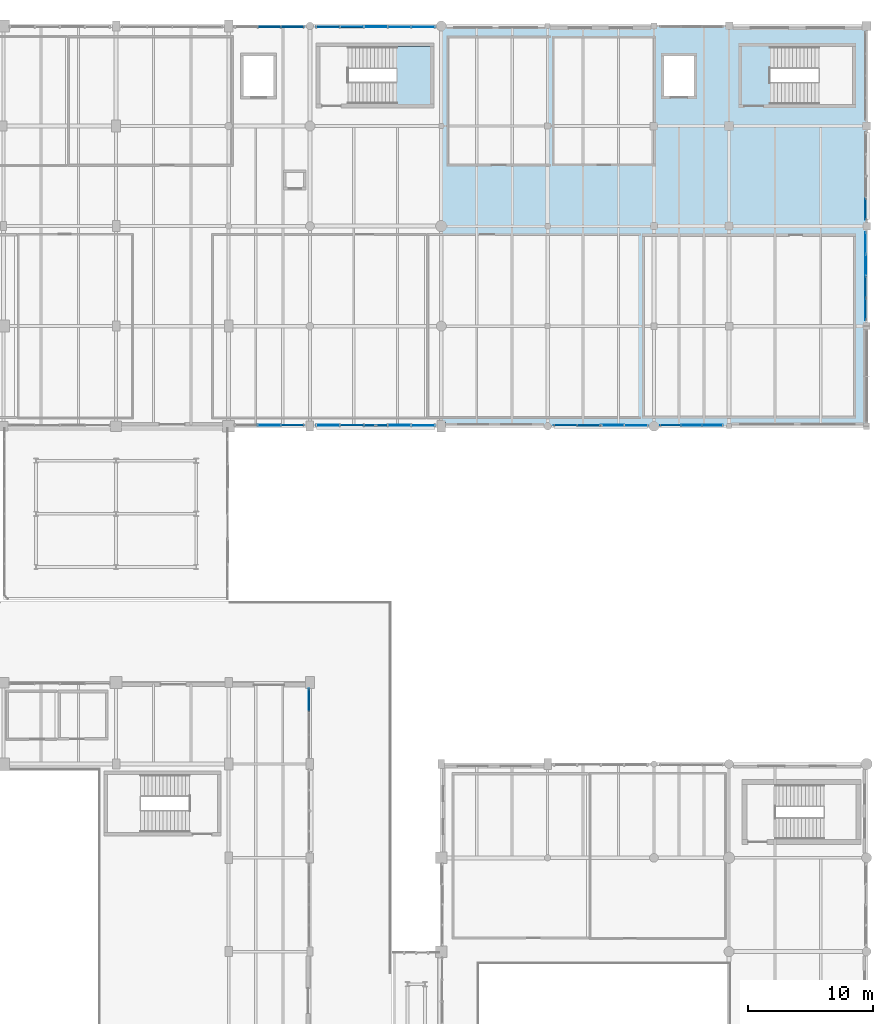
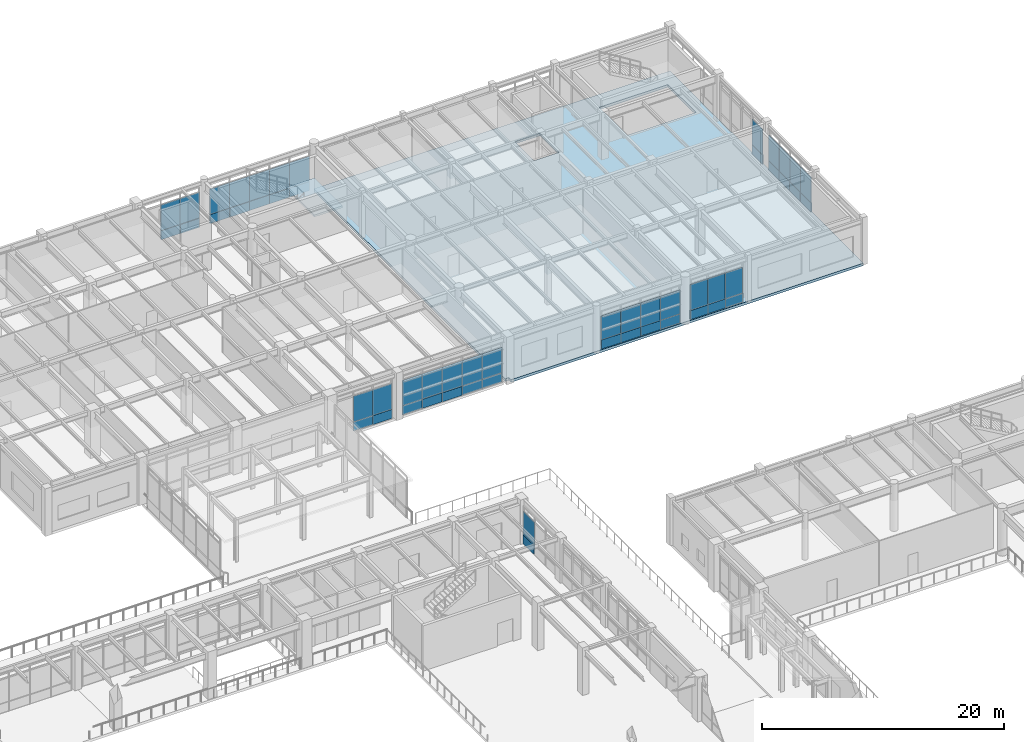
# One storey, part 166 of 200: 54 plates, 2 slabs, 10 elements without a shape of their own.
"""IFC4 building model written with IfcOpenShell, lengths in metres."""

from ifc_helpers import new_model, si_unit, direction, frame, origin, origin_2d, place, context, subcontext, project, spatial, polyline, rectangle, outline, extrude, material, layer, layer_set, type_object, element, aggregate, save


model = new_model("IFC4")

# Units and contexts
model_context = context("Model", 3, precision=1e-05, world=origin(), true_north=direction((0.0, 1.0)))
body_context = subcontext(model_context, "Body", "Model", "MODEL_VIEW")
ifc_project = project(units=[si_unit("LENGTHUNIT", "METRE"), si_unit("AREAUNIT", "SQUARE_METRE"), si_unit("VOLUMEUNIT", "CUBIC_METRE"), si_unit("PLANEANGLEUNIT", "RADIAN"), si_unit("MASSUNIT", "GRAM", prefix="KILO"), si_unit("THERMODYNAMICTEMPERATUREUNIT", "KELVIN"), si_unit("POWERUNIT", "WATT")], contexts=[model_context])

# Site, building, storey
site_placement = place(None, origin())
site = spatial("IfcSite", under=ifc_project, at=site_placement, CompositionType="ELEMENT")
building_placement = place(site_placement, origin())
building = spatial("IfcBuilding", under=site, at=building_placement, Name="Tepalcoro Natatorium and Aquatics Centre", CompositionType="ELEMENT")
storey_placement = place(building_placement, frame((0.0, 0.0, 5.39990234375)))
storey = spatial("IfcBuildingStorey", under=building, at=storey_placement, Name="L01", CompositionType="ELEMENT", Elevation=5.39990234375)

# Curtain wall, plate
ifc_material_1 = material(Name="Bronze-Anodised Extruded Aluminium Alloy EN AW-6063 T6", Category="aluminium")
curtain_wall_type_1 = type_object("IfcCurtainWallType", Name="CW_V5_LOWER", PredefinedType="USERDEFINED", material=ifc_material_1)
curtain_wall_1_placement = place(storey_placement, origin())
curtain_wall_1 = element("IfcCurtainWall", 1, at=curtain_wall_1_placement, inside=storey, type_object=curtain_wall_type_1, Name="V1 L01 E Unitised Curtain Wall Bay 8", ObjectType="UNITISED STOREFRONT", PredefinedType="USERDEFINED")
ifc_material_2 = material(Name="Solar-Control Bronze Tempered Low-E Double Glazing", Category="glass")
ifc_layer_1 = layer(ifc_material_2, 0.048095703125)
ifc_layer_set_1 = layer_set([ifc_layer_1], Name="Solar-Control Bronze Tempered Low-E Double Glazing")
plate_type_1 = type_object("IfcPlateType", Name="PL_ACOUSTIC_IGU_48", PredefinedType="CURTAIN_PANEL", material=ifc_layer_set_1)
plate_1_placement = place(storey_placement, frame((131.419921875, 64.0966796875, 0.9599609375), z_axis=(0.0, 0.0, 1.0), x_axis=(1.0, 0.0, 0.0)))
plate_1 = element("IfcPlate", 2, at=plate_1_placement, type_object=plate_type_1, Name="CW_V5_LOWER Insulated Glazing Unit", PredefinedType="CURTAIN_PANEL", context=body_context, shape_type="SweptSolid", body=[
    extrude(rectangle(XDim=0.048095703125, YDim=1.82666015625, at=origin_2d()), origin(), (0.0, 0.0, 1.0), 2.318115234375),
])

curtain_wall_2_placement = place(storey_placement, origin())
curtain_wall_2 = element("IfcCurtainWall", 3, at=curtain_wall_2_placement, inside=storey, type_object=curtain_wall_type_1, Name="V5 L01 S Unitised Curtain Wall Bay 4", ObjectType="UNITISED STOREFRONT", PredefinedType="USERDEFINED")
plate_2_placement = place(storey_placement, frame((128.25, 86.080078125, 0.9599609375), z_axis=(0.0, 0.0, 1.0), x_axis=(1.0, 0.0, 0.0)))
plate_2 = element("IfcPlate", 4, at=plate_2_placement, type_object=plate_type_1, Name="CW_V5_LOWER Insulated Glazing Unit", PredefinedType="CURTAIN_PANEL", context=body_context, shape_type="SweptSolid", body=[
    extrude(rectangle(XDim=1.82666015625, YDim=0.048095703125, at=origin_2d()), origin(), (0.0, 0.0, 1.0), 2.596923828125),
])

# Curtain wall, plates
curtain_wall_type_2 = type_object("IfcCurtainWallType", Name="CW_V5_UPPER", PredefinedType="USERDEFINED", material=ifc_material_1)
curtain_wall_3_placement = place(storey_placement, origin())
curtain_wall_3 = element("IfcCurtainWall", 5, at=curtain_wall_3_placement, inside=storey, type_object=curtain_wall_type_2, Name="V5 L01 S Unitised Curtain Wall Bay 5", ObjectType="FACETED SOLAR GLAZING", PredefinedType="USERDEFINED")
plate_3_placement = place(storey_placement, frame((132.93408203125, 86.0712890625, 0.9599609375), z_axis=(0.0, 0.0, 1.0), x_axis=(1.0, 0.0, 0.0)))
plate_3 = element("IfcPlate", 6, at=plate_3_placement, type_object=plate_type_1, Name="CW_V5_UPPER Insulated Glazing Unit", PredefinedType="CURTAIN_PANEL", context=body_context, shape_type="SweptSolid", body=[
    extrude(rectangle(XDim=1.887939453125, YDim=0.048095703125, at=origin_2d()), origin(), (0.0, 0.0, 1.0), 2.550048828125),
])
plate_4_placement = place(storey_placement, frame((138.657958984375, 86.0712890625, 0.9599609375), z_axis=(0.0, 0.0, 1.0), x_axis=(1.0, 0.0, 0.0)))
plate_4 = element("IfcPlate", 7, at=plate_4_placement, type_object=plate_type_1, Name="CW_V5_UPPER Insulated Glazing Unit", PredefinedType="CURTAIN_PANEL", context=body_context, shape_type="SweptSolid", body=[
    extrude(rectangle(XDim=1.887939453125, YDim=0.048095703125, at=origin_2d()), origin(), (0.0, 0.0, 1.0), 2.550048828125),
])

# Curtain wall, plate
curtain_wall_type_3 = type_object("IfcCurtainWallType", Name="CW_LEAN_T1_EW", PredefinedType="USERDEFINED", material=ifc_material_1)
curtain_wall_4_placement = place(storey_placement, origin())
curtain_wall_4 = element("IfcCurtainWall", 8, at=curtain_wall_4_placement, inside=storey, type_object=curtain_wall_type_3, Name="V5 L01 S Unitised Curtain Wall Bay 7", ObjectType="FACETED SOLAR GLAZING", PredefinedType="USERDEFINED")
plate_5_placement = place(storey_placement, frame((155.6923828125, 86.0712890625, 0.960205078125), z_axis=(0.0, 0.0, 1.0), x_axis=(1.0, 0.0, 0.0)))
plate_5 = element("IfcPlate", 9, at=plate_5_placement, type_object=plate_type_1, Name="CW_LEAN_T1_EW Insulated Glazing Unit", PredefinedType="CURTAIN_PANEL", context=body_context, shape_type="SweptSolid", body=[
    extrude(rectangle(XDim=1.864990234375, YDim=0.048095703125, at=origin_2d()), origin(), (0.0, 0.0, 1.0), 2.39794921875),
])

curtain_wall_type_4 = type_object("IfcCurtainWallType", Name="CW_LEAN_T2_NS", PredefinedType="USERDEFINED", material=ifc_material_1)
curtain_wall_5_placement = place(storey_placement, origin())
curtain_wall_5 = element("IfcCurtainWall", 10, at=curtain_wall_5_placement, inside=storey, type_object=curtain_wall_type_4, Name="V5 L01 S Unitised Curtain Wall Bay 8", ObjectType="FACETED SOLAR GLAZING", PredefinedType="USERDEFINED")
plate_6_placement = place(storey_placement, frame((162.0, 86.076171875, 0.9599609375), z_axis=(0.0, 0.0, 1.0), x_axis=(1.0, 0.0, 0.0)))
plate_6 = element("IfcPlate", 11, at=plate_6_placement, type_object=plate_type_1, Name="CW_LEAN_T2_NS Insulated Glazing Unit", PredefinedType="CURTAIN_PANEL", context=body_context, shape_type="SweptSolid", body=[
    extrude(rectangle(XDim=1.659912109375, YDim=0.048095703125, at=origin_2d()), origin(), (0.0, 0.0, 1.0), 2.596923828125),
])

curtain_wall_type_5 = type_object("IfcCurtainWallType", Name="CW_LEAN_T2_EW", PredefinedType="USERDEFINED", material=ifc_material_1)
curtain_wall_6_placement = place(storey_placement, origin())
curtain_wall_6 = element("IfcCurtainWall", 12, at=curtain_wall_6_placement, inside=storey, type_object=curtain_wall_type_5, Name="V5 L01 N Unitised Curtain Wall Bay 4", ObjectType="FACETED SOLAR GLAZING", PredefinedType="USERDEFINED")
plate_7_placement = place(storey_placement, frame((128.25, 117.919921875, 0.9599609375), z_axis=(0.0, 0.0, 1.0), x_axis=(1.0, 0.0, 0.0)))
plate_7 = element("IfcPlate", 13, at=plate_7_placement, type_object=plate_type_1, Name="CW_LEAN_T2_EW Insulated Glazing Unit", PredefinedType="CURTAIN_PANEL", context=body_context, shape_type="SweptSolid", body=[
    extrude(rectangle(XDim=1.82666015625, YDim=0.048095703125, at=origin_2d()), origin(), (0.0, 0.0, 1.0), 2.596923828125),
])

# Curtain wall, plates
curtain_wall_type_6 = type_object("IfcCurtainWallType", Name="CW_V1_PLINTH", PredefinedType="USERDEFINED", material=ifc_material_1)
curtain_wall_7_placement = place(storey_placement, origin())
curtain_wall_7 = element("IfcCurtainWall", 14, at=curtain_wall_7_placement, inside=storey, type_object=curtain_wall_type_6, Name="V5 L01 N Unitised Curtain Wall Bay 5", ObjectType="UNITISED STOREFRONT", PredefinedType="USERDEFINED")
plate_8_placement = place(storey_placement, frame((132.93408203125, 117.923828125, 0.9599609375), z_axis=(0.0, 0.0, 1.0), x_axis=(1.0, 0.0, 0.0)))
plate_8 = element("IfcPlate", 15, at=plate_8_placement, type_object=plate_type_1, Name="CW_V1_PLINTH Insulated Glazing Unit", PredefinedType="CURTAIN_PANEL", context=body_context, shape_type="SweptSolid", body=[
    extrude(rectangle(XDim=1.887939453125, YDim=0.048095703125, at=origin_2d()), origin(), (0.0, 0.0, 1.0), 2.550048828125),
])
plate_9_placement = place(storey_placement, frame((138.657958984375, 117.923828125, 0.9599609375), z_axis=(0.0, 0.0, 1.0), x_axis=(1.0, 0.0, 0.0)))
plate_9 = element("IfcPlate", 16, at=plate_9_placement, type_object=plate_type_1, Name="CW_V1_PLINTH Insulated Glazing Unit", PredefinedType="CURTAIN_PANEL", context=body_context, shape_type="SweptSolid", body=[
    extrude(rectangle(XDim=1.887939453125, YDim=0.048095703125, at=origin_2d()), origin(), (0.0, 0.0, 1.0), 2.550048828125),
])

# Curtain wall, plate
curtain_wall_8_placement = place(storey_placement, origin())
curtain_wall_8 = element("IfcCurtainWall", 17, at=curtain_wall_8_placement, inside=storey, type_object=curtain_wall_type_4, Name="V5 L01 E Unitised Curtain Wall Bay 2", ObjectType="FACETED SOLAR GLAZING", PredefinedType="USERDEFINED")
plate_10_placement = place(storey_placement, frame((175.923828125, 97.1201171875, 0.9599609375), z_axis=(0.0, 0.0, 1.0), x_axis=(1.0, 0.0, 0.0)))
plate_10 = element("IfcPlate", 18, at=plate_10_placement, type_object=plate_type_1, Name="CW_LEAN_T2_NS Insulated Glazing Unit", PredefinedType="CURTAIN_PANEL", context=body_context, shape_type="SweptSolid", body=[
    extrude(rectangle(XDim=0.048095703125, YDim=1.739990234375, at=origin_2d()), origin(), (0.0, 0.0, 1.0), 2.596923828125),
])

curtain_wall_9_placement = place(storey_placement, origin())
curtain_wall_9 = element("IfcCurtainWall", 19, at=curtain_wall_9_placement, inside=storey, type_object=curtain_wall_type_5, Name="V5 L01 E Unitised Curtain Wall Bay 3", ObjectType="FACETED SOLAR GLAZING", PredefinedType="USERDEFINED")
plate_11_placement = place(storey_placement, frame((175.923828125, 103.360107421875, 0.9599609375), z_axis=(0.0, 0.0, 1.0), x_axis=(1.0, 0.0, 0.0)))
plate_11 = element("IfcPlate", 20, at=plate_11_placement, type_object=plate_type_1, Name="CW_LEAN_T2_EW Insulated Glazing Unit", PredefinedType="CURTAIN_PANEL", context=body_context, shape_type="SweptSolid", body=[
    extrude(rectangle(XDim=0.048095703125, YDim=1.739990234375, at=origin_2d()), origin(), (0.0, 0.0, 1.0), 2.550048828125),
])

# Plate
ifc_layer_2 = layer(ifc_material_2, 0.028076171875)
ifc_layer_set_2 = layer_set([ifc_layer_2], Name="Solar-Control Bronze Tempered Low-E Double Glazing")
plate_type_2 = type_object("IfcPlateType", Name="PL_BRONZE_IGU_28", PredefinedType="CURTAIN_PANEL", material=ifc_layer_set_2)
plate_12_placement = place(storey_placement, frame((136.75, 86.0712890625, 0.9599609375), z_axis=(0.0, 0.0, 1.0), x_axis=(1.0, 0.0, 0.0)))
plate_12 = element("IfcPlate", 21, at=plate_12_placement, type_object=plate_type_2, Name="CW_V5_UPPER Insulated Glazing Unit", PredefinedType="CURTAIN_PANEL", context=body_context, shape_type="SweptSolid", body=[
    extrude(rectangle(XDim=1.887939453125, YDim=0.028076171875, at=origin_2d()), origin(), (0.0, 0.0, 1.0), 2.550048828125),
])

plate_13_placement = place(storey_placement, frame((153.8076171875, 86.0712890625, 0.960205078125), z_axis=(0.0, 0.0, 1.0), x_axis=(1.0, 0.0, 0.0)))
plate_13 = element("IfcPlate", 22, at=plate_13_placement, type_object=plate_type_2, Name="CW_LEAN_T1_EW Insulated Glazing Unit", PredefinedType="CURTAIN_PANEL", context=body_context, shape_type="SweptSolid", body=[
    extrude(rectangle(XDim=1.864990234375, YDim=0.028076171875, at=origin_2d()), origin(), (0.0, 0.0, 1.0), 2.39794921875),
])

plate_14_placement = place(storey_placement, frame((160.320068359375, 86.076171875, 0.9599609375), z_axis=(0.0, 0.0, 1.0), x_axis=(1.0, 0.0, 0.0)))
plate_14 = element("IfcPlate", 23, at=plate_14_placement, type_object=plate_type_2, Name="CW_LEAN_T2_NS Insulated Glazing Unit", PredefinedType="CURTAIN_PANEL", context=body_context, shape_type="SweptSolid", body=[
    extrude(rectangle(XDim=1.659912109375, YDim=0.028076171875, at=origin_2d()), origin(), (0.0, 0.0, 1.0), 2.596923828125),
])

plate_15_placement = place(storey_placement, frame((136.75, 117.923828125, 0.9599609375), z_axis=(0.0, 0.0, 1.0), x_axis=(1.0, 0.0, 0.0)))
plate_15 = element("IfcPlate", 24, at=plate_15_placement, type_object=plate_type_2, Name="CW_V1_PLINTH Insulated Glazing Unit", PredefinedType="CURTAIN_PANEL", context=body_context, shape_type="SweptSolid", body=[
    extrude(rectangle(XDim=1.887939453125, YDim=0.028076171875, at=origin_2d()), origin(), (0.0, 0.0, 1.0), 2.550048828125),
])

plate_16_placement = place(storey_placement, frame((175.923828125, 95.360107421875, 0.9599609375), z_axis=(0.0, 0.0, 1.0), x_axis=(1.0, 0.0, 0.0)))
plate_16 = element("IfcPlate", 25, at=plate_16_placement, type_object=plate_type_2, Name="CW_LEAN_T2_NS Insulated Glazing Unit", PredefinedType="CURTAIN_PANEL", context=body_context, shape_type="SweptSolid", body=[
    extrude(rectangle(XDim=0.028076171875, YDim=1.739990234375, at=origin_2d()), origin(), (0.0, 0.0, 1.0), 2.596923828125),
])

plate_17_placement = place(storey_placement, frame((175.923828125, 100.639892578125, 0.9599609375), z_axis=(0.0, 0.0, 1.0), x_axis=(1.0, 0.0, 0.0)))
plate_17 = element("IfcPlate", 26, at=plate_17_placement, type_object=plate_type_2, Name="CW_LEAN_T2_NS Insulated Glazing Unit", PredefinedType="CURTAIN_PANEL", context=body_context, shape_type="SweptSolid", body=[
    extrude(rectangle(XDim=0.028076171875, YDim=1.739990234375, at=origin_2d()), origin(), (0.0, 0.0, 1.0), 2.596923828125),
])

ifc_material_3 = material(Name="Jalisco Cantera Rosa Volcanic Tuff Ashlar Masonry", Category="masonry")
ifc_layer_3 = layer(ifc_material_3, 0.090087890625)
ifc_layer_set_3 = layer_set([ifc_layer_3], Name="Jalisco Cantera Rosa Volcanic Tuff Ashlar Masonry")
plate_type_3 = type_object("IfcPlateType", Name="PL_CANTERA_90", PredefinedType="SHEET", material=ifc_layer_set_3)
plate_18_placement = place(storey_placement, frame((130.0966796875, 86.080078125, 0.044921875), z_axis=(0.0, 0.0, 1.0), x_axis=(1.0, 0.0, 0.0)))
plate_18 = element("IfcPlate", 27, at=plate_18_placement, type_object=plate_type_3, Name="CW_V5_LOWER Spandrel & Screen Panel", PredefinedType="SHEET", context=body_context, shape_type="SweptSolid", body=[
    extrude(rectangle(XDim=1.82666015625, YDim=0.090087890625, at=origin_2d()), origin(), (0.0, 0.0, 1.0), 0.909912109375),
])

plate_19_placement = place(storey_placement, frame((134.842041015625, 86.0712890625, 0.044921875), z_axis=(0.0, 0.0, 1.0), x_axis=(1.0, 0.0, 0.0)))
plate_19 = element("IfcPlate", 28, at=plate_19_placement, type_object=plate_type_3, Name="CW_V5_UPPER Spandrel & Screen Panel", PredefinedType="SHEET", context=body_context, shape_type="SweptSolid", body=[
    extrude(rectangle(XDim=1.887939453125, YDim=0.090087890625, at=origin_2d()), origin(), (0.0, 0.0, 1.0), 0.909912109375),
])

plate_20_placement = place(storey_placement, frame((151.922607421875, 86.0712890625, 0.044921875), z_axis=(0.0, 0.0, 1.0), x_axis=(1.0, 0.0, 0.0)))
plate_20 = element("IfcPlate", 29, at=plate_20_placement, type_object=plate_type_3, Name="CW_LEAN_T1_EW Spandrel & Screen Panel", PredefinedType="SHEET", context=body_context, shape_type="SweptSolid", body=[
    extrude(rectangle(XDim=1.864990234375, YDim=0.090087890625, at=origin_2d()), origin(), (0.0, 0.0, 1.0), 0.909912109375),
])

plate_21_placement = place(storey_placement, frame((128.25, 117.919921875, 0.044921875), z_axis=(0.0, 0.0, 1.0), x_axis=(1.0, 0.0, 0.0)))
plate_21 = element("IfcPlate", 30, at=plate_21_placement, type_object=plate_type_3, Name="CW_LEAN_T2_EW Spandrel & Screen Panel", PredefinedType="SHEET", context=body_context, shape_type="SweptSolid", body=[
    extrude(rectangle(XDim=1.82666015625, YDim=0.090087890625, at=origin_2d()), origin(), (0.0, 0.0, 1.0), 0.909912109375),
])

plate_22_placement = place(storey_placement, frame((132.93408203125, 117.923828125, 0.044921875), z_axis=(0.0, 0.0, 1.0), x_axis=(1.0, 0.0, 0.0)))
plate_22 = element("IfcPlate", 31, at=plate_22_placement, type_object=plate_type_3, Name="CW_V1_PLINTH Spandrel & Screen Panel", PredefinedType="SHEET", context=body_context, shape_type="SweptSolid", body=[
    extrude(rectangle(XDim=1.887939453125, YDim=0.090087890625, at=origin_2d()), origin(), (0.0, 0.0, 1.0), 0.909912109375),
])

plate_23_placement = place(storey_placement, frame((175.923828125, 95.360107421875, 0.044921875), z_axis=(0.0, 0.0, 1.0), x_axis=(1.0, 0.0, 0.0)))
plate_23 = element("IfcPlate", 32, at=plate_23_placement, type_object=plate_type_3, Name="CW_LEAN_T2_NS Spandrel & Screen Panel", PredefinedType="SHEET", context=body_context, shape_type="SweptSolid", body=[
    extrude(rectangle(XDim=0.090087890625, YDim=1.739990234375, at=origin_2d()), origin(), (0.0, 0.0, 1.0), 0.909912109375),
])

ifc_material_4 = material(Name="Clear Tempered Low-E Safety Glazing", Category="glass")
ifc_layer_4 = layer(ifc_material_4, 0.011962890625)
ifc_layer_set_4 = layer_set([ifc_layer_4], Name="Clear Tempered Low-E Safety Glazing")
plate_type_4 = type_object("IfcPlateType", Name="PL_GLASS_12", PredefinedType="CURTAIN_PANEL", material=ifc_layer_set_4)
plate_24_placement = place(storey_placement, frame((130.0966796875, 86.080078125, 0.9599609375), z_axis=(0.0, 0.0, 1.0), x_axis=(1.0, 0.0, 0.0)))
plate_24 = element("IfcPlate", 33, at=plate_24_placement, type_object=plate_type_4, Name="CW_V5_LOWER Insulated Glazing Unit", PredefinedType="CURTAIN_PANEL", context=body_context, shape_type="SweptSolid", body=[
    extrude(rectangle(XDim=1.82666015625, YDim=0.011962890625, at=origin_2d()), origin(), (0.0, 0.0, 1.0), 2.596923828125),
])

plate_25_placement = place(storey_placement, frame((134.842041015625, 86.0712890625, 0.9599609375), z_axis=(0.0, 0.0, 1.0), x_axis=(1.0, 0.0, 0.0)))
plate_25 = element("IfcPlate", 34, at=plate_25_placement, type_object=plate_type_4, Name="CW_V5_UPPER Insulated Glazing Unit", PredefinedType="CURTAIN_PANEL", context=body_context, shape_type="SweptSolid", body=[
    extrude(rectangle(XDim=1.887939453125, YDim=0.011962890625, at=origin_2d()), origin(), (0.0, 0.0, 1.0), 2.550048828125),
])

plate_26_placement = place(storey_placement, frame((140.56591796875, 86.0712890625, 0.9599609375), z_axis=(0.0, 0.0, 1.0), x_axis=(1.0, 0.0, 0.0)))
plate_26 = element("IfcPlate", 35, at=plate_26_placement, type_object=plate_type_4, Name="CW_V5_UPPER Insulated Glazing Unit", PredefinedType="CURTAIN_PANEL", context=body_context, shape_type="SweptSolid", body=[
    extrude(rectangle(XDim=1.887939453125, YDim=0.011962890625, at=origin_2d()), origin(), (0.0, 0.0, 1.0), 2.550048828125),
])

plate_27_placement = place(storey_placement, frame((151.922607421875, 86.0712890625, 0.960205078125), z_axis=(0.0, 0.0, 1.0), x_axis=(1.0, 0.0, 0.0)))
plate_27 = element("IfcPlate", 36, at=plate_27_placement, type_object=plate_type_4, Name="CW_LEAN_T1_EW Insulated Glazing Unit", PredefinedType="CURTAIN_PANEL", context=body_context, shape_type="SweptSolid", body=[
    extrude(rectangle(XDim=1.864990234375, YDim=0.011962890625, at=origin_2d()), origin(), (0.0, 0.0, 1.0), 2.39794921875),
])

plate_28_placement = place(storey_placement, frame((157.577392578125, 86.0712890625, 0.960205078125), z_axis=(0.0, 0.0, 1.0), x_axis=(1.0, 0.0, 0.0)))
plate_28 = element("IfcPlate", 37, at=plate_28_placement, type_object=plate_type_4, Name="CW_LEAN_T1_EW Insulated Glazing Unit", PredefinedType="CURTAIN_PANEL", context=body_context, shape_type="SweptSolid", body=[
    extrude(rectangle(XDim=1.864990234375, YDim=0.011962890625, at=origin_2d()), origin(), (0.0, 0.0, 1.0), 2.39794921875),
])

plate_29_placement = place(storey_placement, frame((163.679931640625, 86.076171875, 0.9599609375), z_axis=(0.0, 0.0, 1.0), x_axis=(1.0, 0.0, 0.0)))
plate_29 = element("IfcPlate", 38, at=plate_29_placement, type_object=plate_type_4, Name="CW_LEAN_T2_NS Insulated Glazing Unit", PredefinedType="CURTAIN_PANEL", context=body_context, shape_type="SweptSolid", body=[
    extrude(rectangle(XDim=1.659912109375, YDim=0.011962890625, at=origin_2d()), origin(), (0.0, 0.0, 1.0), 2.596923828125),
])

plate_30_placement = place(storey_placement, frame((130.0966796875, 117.919921875, 0.9599609375), z_axis=(0.0, 0.0, 1.0), x_axis=(1.0, 0.0, 0.0)))
plate_30 = element("IfcPlate", 39, at=plate_30_placement, type_object=plate_type_4, Name="CW_LEAN_T2_EW Insulated Glazing Unit", PredefinedType="CURTAIN_PANEL", context=body_context, shape_type="SweptSolid", body=[
    extrude(rectangle(XDim=1.82666015625, YDim=0.011962890625, at=origin_2d()), origin(), (0.0, 0.0, 1.0), 2.596923828125),
])

plate_31_placement = place(storey_placement, frame((134.842041015625, 117.923828125, 0.9599609375), z_axis=(0.0, 0.0, 1.0), x_axis=(1.0, 0.0, 0.0)))
plate_31 = element("IfcPlate", 40, at=plate_31_placement, type_object=plate_type_4, Name="CW_V1_PLINTH Insulated Glazing Unit", PredefinedType="CURTAIN_PANEL", context=body_context, shape_type="SweptSolid", body=[
    extrude(rectangle(XDim=1.887939453125, YDim=0.011962890625, at=origin_2d()), origin(), (0.0, 0.0, 1.0), 2.550048828125),
])

plate_32_placement = place(storey_placement, frame((140.56591796875, 117.923828125, 0.9599609375), z_axis=(0.0, 0.0, 1.0), x_axis=(1.0, 0.0, 0.0)))
plate_32 = element("IfcPlate", 41, at=plate_32_placement, type_object=plate_type_4, Name="CW_V1_PLINTH Insulated Glazing Unit", PredefinedType="CURTAIN_PANEL", context=body_context, shape_type="SweptSolid", body=[
    extrude(rectangle(XDim=1.887939453125, YDim=0.011962890625, at=origin_2d()), origin(), (0.0, 0.0, 1.0), 2.550048828125),
])

plate_33_placement = place(storey_placement, frame((175.923828125, 98.8798828125, 0.9599609375), z_axis=(0.0, 0.0, 1.0), x_axis=(1.0, 0.0, 0.0)))
plate_33 = element("IfcPlate", 42, at=plate_33_placement, type_object=plate_type_4, Name="CW_LEAN_T2_NS Insulated Glazing Unit", PredefinedType="CURTAIN_PANEL", context=body_context, shape_type="SweptSolid", body=[
    extrude(rectangle(XDim=0.011962890625, YDim=1.739990234375, at=origin_2d()), origin(), (0.0, 0.0, 1.0), 2.596923828125),
])

ifc_material_5 = material(Name="Volcanic Recinto Basalt Ashlar Masonry", Category="masonry")
ifc_layer_5 = layer(ifc_material_5, 0.110107421875)
ifc_layer_set_5 = layer_set([ifc_layer_5], Name="Volcanic Recinto Basalt Ashlar Masonry")
plate_type_5 = type_object("IfcPlateType", Name="PL_RECINTO_110", PredefinedType="SHEET", material=ifc_layer_set_5)
plate_34_placement = place(storey_placement, frame((131.419921875, 64.0966796875, 0.044921875), z_axis=(0.0, 0.0, 1.0), x_axis=(1.0, 0.0, 0.0)))
plate_34 = element("IfcPlate", 43, at=plate_34_placement, type_object=plate_type_5, Name="CW_V5_LOWER Spandrel & Screen Panel", PredefinedType="SHEET", context=body_context, shape_type="SweptSolid", body=[
    extrude(rectangle(XDim=0.110107421875, YDim=1.82666015625, at=origin_2d()), origin(), (0.0, 0.0, 1.0), 0.909912109375),
])

aggregate(curtain_wall_1, [plate_1, plate_34])

plate_35_placement = place(storey_placement, frame((136.75, 86.0712890625, 0.044921875), z_axis=(0.0, 0.0, 1.0), x_axis=(1.0, 0.0, 0.0)))
plate_35 = element("IfcPlate", 44, at=plate_35_placement, type_object=plate_type_5, Name="CW_V5_UPPER Spandrel & Screen Panel", PredefinedType="SHEET", context=body_context, shape_type="SweptSolid", body=[
    extrude(rectangle(XDim=1.887939453125, YDim=0.110107421875, at=origin_2d()), origin(), (0.0, 0.0, 1.0), 0.909912109375),
])

plate_36_placement = place(storey_placement, frame((153.8076171875, 86.0712890625, 0.044921875), z_axis=(0.0, 0.0, 1.0), x_axis=(1.0, 0.0, 0.0)))
plate_36 = element("IfcPlate", 45, at=plate_36_placement, type_object=plate_type_5, Name="CW_LEAN_T1_EW Spandrel & Screen Panel", PredefinedType="SHEET", context=body_context, shape_type="SweptSolid", body=[
    extrude(rectangle(XDim=1.864990234375, YDim=0.110107421875, at=origin_2d()), origin(), (0.0, 0.0, 1.0), 0.909912109375),
])

plate_37_placement = place(storey_placement, frame((160.320068359375, 86.076171875, 0.044921875), z_axis=(0.0, 0.0, 1.0), x_axis=(1.0, 0.0, 0.0)))
plate_37 = element("IfcPlate", 46, at=plate_37_placement, type_object=plate_type_5, Name="CW_LEAN_T2_NS Spandrel & Screen Panel", PredefinedType="SHEET", context=body_context, shape_type="SweptSolid", body=[
    extrude(rectangle(XDim=1.659912109375, YDim=0.110107421875, at=origin_2d()), origin(), (0.0, 0.0, 1.0), 0.909912109375),
])

plate_38_placement = place(storey_placement, frame((130.0966796875, 117.919921875, 0.044921875), z_axis=(0.0, 0.0, 1.0), x_axis=(1.0, 0.0, 0.0)))
plate_38 = element("IfcPlate", 47, at=plate_38_placement, type_object=plate_type_5, Name="CW_LEAN_T2_EW Spandrel & Screen Panel", PredefinedType="SHEET", context=body_context, shape_type="SweptSolid", body=[
    extrude(rectangle(XDim=1.82666015625, YDim=0.110107421875, at=origin_2d()), origin(), (0.0, 0.0, 1.0), 0.909912109375),
])

aggregate(curtain_wall_6, [plate_7, plate_21, plate_30, plate_38])

plate_39_placement = place(storey_placement, frame((134.842041015625, 117.923828125, 0.044921875), z_axis=(0.0, 0.0, 1.0), x_axis=(1.0, 0.0, 0.0)))
plate_39 = element("IfcPlate", 48, at=plate_39_placement, type_object=plate_type_5, Name="CW_V1_PLINTH Spandrel & Screen Panel", PredefinedType="SHEET", context=body_context, shape_type="SweptSolid", body=[
    extrude(rectangle(XDim=1.887939453125, YDim=0.110107421875, at=origin_2d()), origin(), (0.0, 0.0, 1.0), 0.909912109375),
])

plate_40_placement = place(storey_placement, frame((175.923828125, 97.1201171875, 0.044921875), z_axis=(0.0, 0.0, 1.0), x_axis=(1.0, 0.0, 0.0)))
plate_40 = element("IfcPlate", 49, at=plate_40_placement, type_object=plate_type_5, Name="CW_LEAN_T2_NS Spandrel & Screen Panel", PredefinedType="SHEET", context=body_context, shape_type="SweptSolid", body=[
    extrude(rectangle(XDim=0.110107421875, YDim=1.739990234375, at=origin_2d()), origin(), (0.0, 0.0, 1.0), 0.909912109375),
])

plate_41_placement = place(storey_placement, frame((175.923828125, 103.360107421875, 0.044921875), z_axis=(0.0, 0.0, 1.0), x_axis=(1.0, 0.0, 0.0)))
plate_41 = element("IfcPlate", 50, at=plate_41_placement, type_object=plate_type_5, Name="CW_LEAN_T2_EW Spandrel & Screen Panel", PredefinedType="SHEET", context=body_context, shape_type="SweptSolid", body=[
    extrude(rectangle(XDim=0.110107421875, YDim=1.739990234375, at=origin_2d()), origin(), (0.0, 0.0, 1.0), 0.909912109375),
])

aggregate(curtain_wall_9, [plate_11, plate_41])

ifc_layer_6 = layer(ifc_material_1, 0.050048828125)
ifc_layer_set_6 = layer_set([ifc_layer_6], Name="Bronze-Anodised Extruded Aluminium Alloy EN AW-6063 T6")
plate_type_6 = type_object("IfcPlateType", Name="PL_SCREEN_50", PredefinedType="SHEET", material=ifc_layer_set_6)
plate_42_placement = place(storey_placement, frame((140.56591796875, 86.0712890625, 0.044921875), z_axis=(0.0, 0.0, 1.0), x_axis=(1.0, 0.0, 0.0)))
plate_42 = element("IfcPlate", 51, at=plate_42_placement, type_object=plate_type_6, Name="CW_V5_UPPER Spandrel & Screen Panel", PredefinedType="SHEET", context=body_context, shape_type="SweptSolid", body=[
    extrude(rectangle(XDim=1.887939453125, YDim=0.050048828125, at=origin_2d()), origin(), (0.0, 0.0, 1.0), 0.909912109375),
])

plate_43_placement = place(storey_placement, frame((157.577392578125, 86.0712890625, 0.044921875), z_axis=(0.0, 0.0, 1.0), x_axis=(1.0, 0.0, 0.0)))
plate_43 = element("IfcPlate", 52, at=plate_43_placement, type_object=plate_type_6, Name="CW_LEAN_T1_EW Spandrel & Screen Panel", PredefinedType="SHEET", context=body_context, shape_type="SweptSolid", body=[
    extrude(rectangle(XDim=1.864990234375, YDim=0.050048828125, at=origin_2d()), origin(), (0.0, 0.0, 1.0), 0.909912109375),
])

plate_44_placement = place(storey_placement, frame((163.679931640625, 86.076171875, 0.044921875), z_axis=(0.0, 0.0, 1.0), x_axis=(1.0, 0.0, 0.0)))
plate_44 = element("IfcPlate", 53, at=plate_44_placement, type_object=plate_type_6, Name="CW_LEAN_T2_NS Spandrel & Screen Panel", PredefinedType="SHEET", context=body_context, shape_type="SweptSolid", body=[
    extrude(rectangle(XDim=1.659912109375, YDim=0.050048828125, at=origin_2d()), origin(), (0.0, 0.0, 1.0), 0.909912109375),
])

plate_45_placement = place(storey_placement, frame((138.657958984375, 117.923828125, 0.044921875), z_axis=(0.0, 0.0, 1.0), x_axis=(1.0, 0.0, 0.0)))
plate_45 = element("IfcPlate", 54, at=plate_45_placement, type_object=plate_type_6, Name="CW_V1_PLINTH Spandrel & Screen Panel", PredefinedType="SHEET", context=body_context, shape_type="SweptSolid", body=[
    extrude(rectangle(XDim=1.887939453125, YDim=0.050048828125, at=origin_2d()), origin(), (0.0, 0.0, 1.0), 0.909912109375),
])

plate_46_placement = place(storey_placement, frame((175.923828125, 100.639892578125, 0.044921875), z_axis=(0.0, 0.0, 1.0), x_axis=(1.0, 0.0, 0.0)))
plate_46 = element("IfcPlate", 55, at=plate_46_placement, type_object=plate_type_6, Name="CW_LEAN_T2_NS Spandrel & Screen Panel", PredefinedType="SHEET", context=body_context, shape_type="SweptSolid", body=[
    extrude(rectangle(XDim=0.050048828125, YDim=1.739990234375, at=origin_2d()), origin(), (0.0, 0.0, 1.0), 0.909912109375),
])

ifc_layer_7 = layer(ifc_material_1, 0.06005859375)
ifc_layer_set_7 = layer_set([ifc_layer_7], Name="Bronze-Anodised Extruded Aluminium Alloy EN AW-6063 T6")
plate_type_7 = type_object("IfcPlateType", Name="PL_SCREEN_60", PredefinedType="SHEET", material=ifc_layer_set_7)
plate_47_placement = place(storey_placement, frame((128.25, 86.080078125, 0.044921875), z_axis=(0.0, 0.0, 1.0), x_axis=(1.0, 0.0, 0.0)))
plate_47 = element("IfcPlate", 56, at=plate_47_placement, type_object=plate_type_7, Name="CW_V5_LOWER Spandrel & Screen Panel", PredefinedType="SHEET", context=body_context, shape_type="SweptSolid", body=[
    extrude(rectangle(XDim=1.82666015625, YDim=0.06005859375, at=origin_2d()), origin(), (0.0, 0.0, 1.0), 0.909912109375),
])

aggregate(curtain_wall_2, [plate_2, plate_47, plate_24, plate_18])

plate_48_placement = place(storey_placement, frame((132.93408203125, 86.0712890625, 0.044921875), z_axis=(0.0, 0.0, 1.0), x_axis=(1.0, 0.0, 0.0)))
plate_48 = element("IfcPlate", 57, at=plate_48_placement, type_object=plate_type_7, Name="CW_V5_UPPER Spandrel & Screen Panel", PredefinedType="SHEET", context=body_context, shape_type="SweptSolid", body=[
    extrude(rectangle(XDim=1.887939453125, YDim=0.06005859375, at=origin_2d()), origin(), (0.0, 0.0, 1.0), 0.909912109375),
])

plate_49_placement = place(storey_placement, frame((140.56591796875, 117.923828125, 0.044921875), z_axis=(0.0, 0.0, 1.0), x_axis=(1.0, 0.0, 0.0)))
plate_49 = element("IfcPlate", 58, at=plate_49_placement, type_object=plate_type_7, Name="CW_V1_PLINTH Spandrel & Screen Panel", PredefinedType="SHEET", context=body_context, shape_type="SweptSolid", body=[
    extrude(rectangle(XDim=1.887939453125, YDim=0.06005859375, at=origin_2d()), origin(), (0.0, 0.0, 1.0), 0.909912109375),
])

ifc_material_6 = material(Name="Insulated Bronze Anodised Aluminium Spandrel Panel", Category="aluminium")
ifc_layer_8 = layer(ifc_material_6, 0.070068359375)
ifc_layer_set_8 = layer_set([ifc_layer_8], Name="Insulated Bronze Anodised Aluminium Spandrel Panel")
plate_type_8 = type_object("IfcPlateType", Name="PL_SPANDREL_70", PredefinedType="CURTAIN_PANEL", material=ifc_layer_set_8)
plate_50_placement = place(storey_placement, frame((138.657958984375, 86.0712890625, 0.044921875), z_axis=(0.0, 0.0, 1.0), x_axis=(1.0, 0.0, 0.0)))
plate_50 = element("IfcPlate", 59, at=plate_50_placement, type_object=plate_type_8, Name="CW_V5_UPPER Spandrel & Screen Panel", PredefinedType="CURTAIN_PANEL", context=body_context, shape_type="SweptSolid", body=[
    extrude(rectangle(XDim=1.887939453125, YDim=0.070068359375, at=origin_2d()), origin(), (0.0, 0.0, 1.0), 0.909912109375),
])

aggregate(curtain_wall_3, [plate_3, plate_48, plate_25, plate_19, plate_12, plate_35, plate_4, plate_50, plate_26, plate_42])

plate_51_placement = place(storey_placement, frame((155.6923828125, 86.0712890625, 0.044921875), z_axis=(0.0, 0.0, 1.0), x_axis=(1.0, 0.0, 0.0)))
plate_51 = element("IfcPlate", 60, at=plate_51_placement, type_object=plate_type_8, Name="CW_LEAN_T1_EW Spandrel & Screen Panel", PredefinedType="CURTAIN_PANEL", context=body_context, shape_type="SweptSolid", body=[
    extrude(rectangle(XDim=1.864990234375, YDim=0.070068359375, at=origin_2d()), origin(), (0.0, 0.0, 1.0), 0.909912109375),
])

aggregate(curtain_wall_4, [plate_27, plate_20, plate_13, plate_36, plate_5, plate_51, plate_28, plate_43])

plate_52_placement = place(storey_placement, frame((162.0, 86.076171875, 0.044921875), z_axis=(0.0, 0.0, 1.0), x_axis=(1.0, 0.0, 0.0)))
plate_52 = element("IfcPlate", 61, at=plate_52_placement, type_object=plate_type_8, Name="CW_LEAN_T2_NS Spandrel & Screen Panel", PredefinedType="CURTAIN_PANEL", context=body_context, shape_type="SweptSolid", body=[
    extrude(rectangle(XDim=1.659912109375, YDim=0.070068359375, at=origin_2d()), origin(), (0.0, 0.0, 1.0), 0.909912109375),
])

aggregate(curtain_wall_5, [plate_14, plate_37, plate_6, plate_52, plate_29, plate_44])

plate_53_placement = place(storey_placement, frame((136.75, 117.923828125, 0.044921875), z_axis=(0.0, 0.0, 1.0), x_axis=(1.0, 0.0, 0.0)))
plate_53 = element("IfcPlate", 62, at=plate_53_placement, type_object=plate_type_8, Name="CW_V1_PLINTH Spandrel & Screen Panel", PredefinedType="CURTAIN_PANEL", context=body_context, shape_type="SweptSolid", body=[
    extrude(rectangle(XDim=1.887939453125, YDim=0.070068359375, at=origin_2d()), origin(), (0.0, 0.0, 1.0), 0.909912109375),
])

aggregate(curtain_wall_7, [plate_8, plate_22, plate_31, plate_39, plate_15, plate_53, plate_9, plate_45, plate_32, plate_49])

plate_54_placement = place(storey_placement, frame((175.923828125, 98.8798828125, 0.044921875), z_axis=(0.0, 0.0, 1.0), x_axis=(1.0, 0.0, 0.0)))
plate_54 = element("IfcPlate", 63, at=plate_54_placement, type_object=plate_type_8, Name="CW_LEAN_T2_NS Spandrel & Screen Panel", PredefinedType="CURTAIN_PANEL", context=body_context, shape_type="SweptSolid", body=[
    extrude(rectangle(XDim=0.070068359375, YDim=1.739990234375, at=origin_2d()), origin(), (0.0, 0.0, 1.0), 0.909912109375),
])

aggregate(curtain_wall_8, [plate_16, plate_23, plate_10, plate_40, plate_33, plate_54, plate_17, plate_46])

# Slab
ifc_material_7 = material(Name="Concrete C35/45 (fc 35 MPa)", Category="concrete")
ifc_layer_9 = layer(ifc_material_7, 0.260009765625)
ifc_layer_set_9 = layer_set([ifc_layer_9], Name="Concrete C35/45 (fc 35 MPa)")
slab_type_1 = type_object("IfcSlabType", Name="SL_FLOOR_260", PredefinedType="FLOOR", material=ifc_layer_set_9)
slab_1_placement = place(storey_placement, frame((0.0, 0.0, -0.260009765625)))
element("IfcSlab", 64, at=slab_1_placement, inside=storey, type_object=slab_type_1, Name="V5 L01 Natatorium and Civic Floor Slab E", PredefinedType="FLOOR", context=body_context, shape_type="SweptSolid", body=[
    extrude(outline(polyline([(142.35009765625, 86.35009765625), (142.0, 86.35009765625), (142.0, 118.0), (176.0, 118.0), (176.0, 86.0), (142.35009765625, 86.0), (142.35009765625, 86.35009765625)]), holes=[polyline([(174.8701171875, 111.72998046875), (174.8701171875, 116.3701171875), (168.31005859375, 116.3701171875), (168.31005859375, 111.72998046875), (174.8701171875, 111.72998046875)]), polyline([(159.800048828125, 115.60009765625), (159.800048828125, 112.39990234375), (162.199951171875, 112.39990234375), (162.199951171875, 115.60009765625), (159.800048828125, 115.60009765625)])]), origin(), (0.0, 0.0, 1.0), 0.260009765625),
])

# Stair, slab
stair_type = type_object("IfcStairType", Name="ST_RC_1800_L03", PredefinedType="HALF_TURN_STAIR", material=ifc_material_7)
stair_placement = place(storey_placement, origin())
stair = element("IfcStair", 65, at=stair_placement, inside=storey, type_object=stair_type, Name="Wellness & Broadcast West Fire Stair (L01 to L02)", PredefinedType="HALF_TURN_STAIR")
ifc_layer_10 = layer(ifc_material_7, 0.199951171875)
ifc_layer_set_10 = layer_set([ifc_layer_10], Name="Concrete C35/45 (fc 35 MPa)")
slab_type_2 = type_object("IfcSlabType", Name="SL_LANDING_200", PredefinedType="LANDING", material=ifc_layer_set_10)
slab_2_placement = place(storey_placement, frame((0.0, 0.0, 2.2001953125)))
slab_2 = element("IfcSlab", 66, at=slab_2_placement, type_object=slab_type_2, Name="Wellness & Broadcast West Fire Stair (L01 to L02) Half-Landing", PredefinedType="LANDING", context=body_context, shape_type="SweptSolid", body=[
    extrude(outline(polyline([(138.409912109375, 111.72998046875), (141.1201171875, 111.72998046875), (141.1201171875, 116.3701171875), (138.409912109375, 116.3701171875), (138.409912109375, 111.72998046875)])), origin(), (0.0, 0.0, 1.0), 0.199951171875),
])
aggregate(stair, [slab_2])

save(model, "model.ifc")
